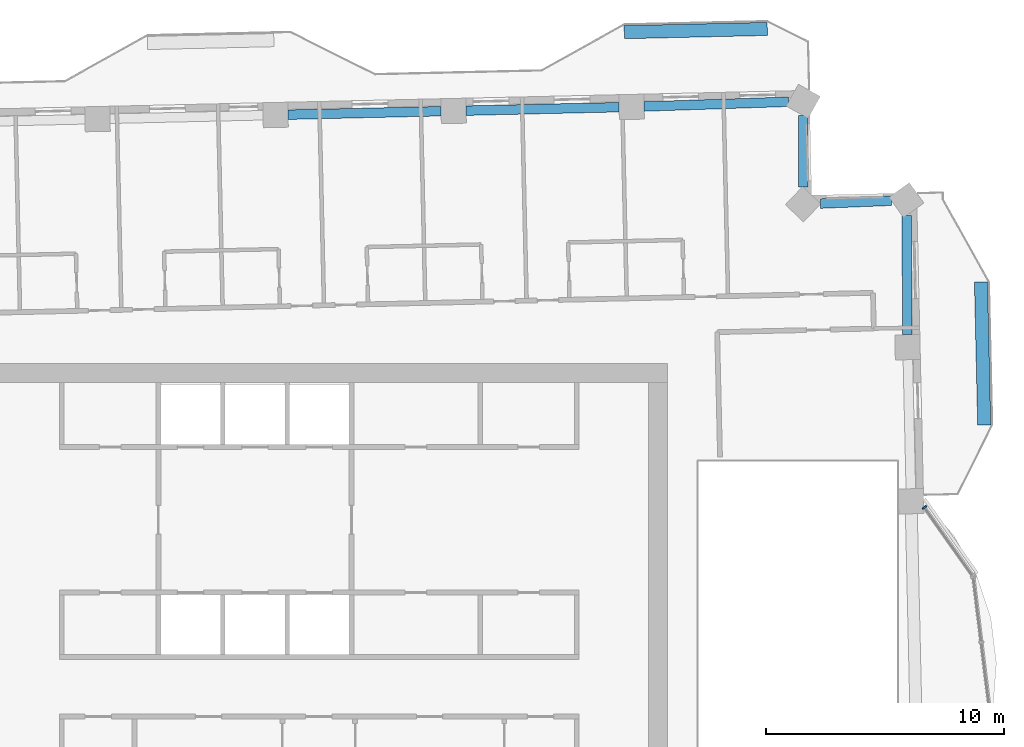
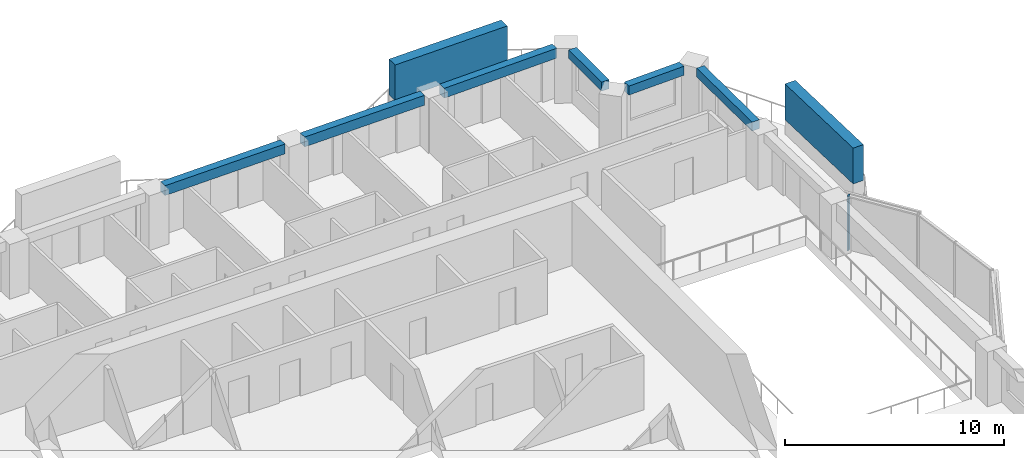
# One storey, part 4 of 17: 6 beams, 3 members, 1 element without a shape of its own.
"""IFC4 building model written with IfcOpenShell, lengths in metres."""

from ifc_helpers import new_model, si_unit, direction, frame, origin, origin_2d, place, context, subcontext, project, spatial, rectangle, extrude, material, material_profile, profile_set, type_object, element, aggregate, save


model = new_model("IFC4")

# Units and contexts
model_context = context("Model", 3, precision=1e-05, world=origin(), true_north=direction((0.0, 1.0)))
body_context = subcontext(model_context, "Body", "Model", "MODEL_VIEW")
ifc_project = project(units=[si_unit("LENGTHUNIT", "METRE"), si_unit("AREAUNIT", "SQUARE_METRE"), si_unit("VOLUMEUNIT", "CUBIC_METRE"), si_unit("PLANEANGLEUNIT", "RADIAN"), si_unit("MASSUNIT", "GRAM", prefix="KILO")], contexts=[model_context])

# Site, building, storey
site_placement = place(None, origin())
site = spatial("IfcSite", under=ifc_project, at=site_placement, CompositionType="ELEMENT")
building_placement = place(site_placement, origin())
building = spatial("IfcBuilding", under=site, at=building_placement, Name="Mangrove Gate Tower", CompositionType="ELEMENT")
storey_placement = place(building_placement, frame((0.0, 0.0, 245.5)))
storey = spatial("IfcBuildingStorey", under=building, at=storey_placement, Name="L62", CompositionType="ELEMENT", Elevation=245.5)

# Curtain wall, member
ifc_material_1 = material(Name="Aluminium and glass curtain wall", Category="aluminium")
curtain_wall_type = type_object("IfcCurtainWallType", Name="Atrium garden-court glazing wall", PredefinedType="NOTDEFINED", material=ifc_material_1)
curtain_wall_placement = place(storey_placement, origin())
curtain_wall = element("IfcCurtainWall", 1, at=curtain_wall_placement, inside=storey, type_object=curtain_wall_type, Name="Atrium garden-court glazing E1f3", PredefinedType="NOTDEFINED")
ifc_material_2 = material(Name="Aluminium alloy 6063-T6", Category="aluminium")
ifc_material_profile_1 = material_profile(ifc_material_2, rectangle(XDim=0.070068359375, YDim=0.199951171875, at=origin_2d()))
ifc_profile_set_1 = profile_set([ifc_material_profile_1], Name="Aluminium alloy 6063-T6")
member_type_1 = type_object("IfcMemberType", Name="Atrium garden-court glazing mullion 70x200", PredefinedType="MULLION", material=ifc_profile_set_1)
member_1_placement = place(storey_placement, frame((25.376708984375, 5.565185546875, 0.0), z_axis=(0.0, 0.0, 1.0), x_axis=(-0.578120908245, 0.815951110944, 0.0)))
member_1 = element("IfcMember", 2, at=member_1_placement, type_object=member_type_1, Name="CWA mullion 2", PredefinedType="MULLION", context=body_context, shape_type="SweptSolid", body=[
    extrude(rectangle(XDim=0.070068359375, YDim=0.199951171875, at=origin_2d()), origin(), (0.0, 0.0, 1.0), 3.050048828125),
])
aggregate(curtain_wall, [member_1])

# Members
ifc_material_3 = material(Name="Planting on aluminium trellis", Category="aluminium")
ifc_material_profile_2 = material_profile(ifc_material_3, rectangle(XDim=0.550048828125, YDim=2.0, at=origin_2d()))
ifc_profile_set_2 = profile_set([ifc_material_profile_2], Name="Planting on aluminium trellis")
member_type_2 = type_object("IfcMemberType", Name="Balcony greenery screen 550x2000", PredefinedType="USERDEFINED", material=ifc_profile_set_2)
member_2_placement = place(storey_placement, frame((27.884033203125, 9.02197265625, 1.800048828125), z_axis=(-0.022665943652, 0.999743094499, 0.0), x_axis=(-0.999743094499, -0.022665943652, 0.0)))
element("IfcMember", 3, at=member_2_placement, inside=storey, type_object=member_type_2, Name="GREEN SCREEN L62 E1.1", ObjectType="PLANTING", PredefinedType="USERDEFINED", context=body_context, shape_type="SweptSolid", body=[
    extrude(rectangle(XDim=0.550048828125, YDim=2.0, at=origin_2d()), origin(), (0.0, 0.0, 1.0), 5.99951171875),
])
member_3_placement = place(storey_placement, frame((12.7880859375, 25.498046875, 1.800048828125), z_axis=(0.999739371644, 0.02282955947, 0.0), x_axis=(-0.02282955947, 0.999739371644, 0.0)))
element("IfcMember", 4, at=member_3_placement, inside=storey, type_object=member_type_2, Name="GREEN SCREEN L62 N0.1", ObjectType="PLANTING", PredefinedType="USERDEFINED", context=body_context, shape_type="SweptSolid", body=[
    extrude(rectangle(XDim=0.550048828125, YDim=2.0, at=origin_2d()), origin(), (0.0, 0.0, 1.0), 5.999267578125),
])

# Beams
ifc_material_4 = material(Name="Concrete C50/60", Category="concrete")
ifc_material_profile_3 = material_profile(ifc_material_4, rectangle(XDim=0.39990234375, YDim=0.5, at=origin_2d()))
ifc_profile_set_3 = profile_set([ifc_material_profile_3], Name="Concrete C50/60")
beam_type_1 = type_object("IfcBeamType", Name="Edge beam RC 400x500 C50/60", PredefinedType="BEAM", material=ifc_profile_set_3)
beam_1_placement = place(storey_placement, frame((24.6650390625, 12.812255859375, 2.800048828125), z_axis=(-0.007810736151, 0.999969495735, 0.0), x_axis=(-0.999969495735, -0.007810736151, 0.0)))
element("IfcBeam", 5, at=beam_1_placement, inside=storey, type_object=beam_type_1, Name="Edge beam L62 16", PredefinedType="BEAM", context=body_context, shape_type="SweptSolid", body=[
    extrude(rectangle(XDim=0.39990234375, YDim=0.5, at=origin_2d()), origin(), (0.0, 0.0, 1.0), 5.001220703125),
])
beam_2_placement = place(storey_placement, frame((23.99365234375, 18.429443359375, 2.800048828125), z_axis=(-0.999194139835, -0.040138147936, 0.0), x_axis=(0.040138147936, -0.999194139835, 0.0)))
element("IfcBeam", 6, at=beam_2_placement, inside=storey, type_object=beam_type_1, Name="Edge beam L62 17", PredefinedType="BEAM", context=body_context, shape_type="SweptSolid", body=[
    extrude(rectangle(XDim=0.39990234375, YDim=0.5, at=origin_2d()), origin(), (0.0, 0.0, 1.0), 2.98046875),
])
beam_3_placement = place(storey_placement, frame((20.287353515625, 19.005615234375, 2.800048828125), z_axis=(0.001549247978, 0.999998799915, 0.0), x_axis=(-0.999998799915, 0.001549247978, 0.0)))
element("IfcBeam", 7, at=beam_3_placement, inside=storey, type_object=beam_type_1, Name="Edge beam L62 18", PredefinedType="BEAM", context=body_context, shape_type="SweptSolid", body=[
    extrude(rectangle(XDim=0.39990234375, YDim=0.5, at=origin_2d()), origin(), (0.0, 0.0, 1.0), 2.994140625),
])
ifc_material_5 = material(Name="Concrete C50/60", Category="concrete")
ifc_material_profile_4 = material_profile(ifc_material_5, rectangle(XDim=0.39990234375, YDim=0.550048828125, at=origin_2d()))
ifc_profile_set_4 = profile_set([ifc_material_profile_4], Name="Concrete C50/60")
beam_type_2 = type_object("IfcBeamType", Name="Edge beam RC 400x550 C50/60", PredefinedType="BEAM", material=ifc_profile_set_4)
beam_4_placement = place(storey_placement, frame((19.68017578125, 22.58056640625, 2.77490234375), z_axis=(-0.999460172481, -0.032853669866, 0.0), x_axis=(0.032853669866, -0.999460172481, 0.0)))
element("IfcBeam", 8, at=beam_4_placement, inside=storey, type_object=beam_type_2, Name="Edge beam L62 19", PredefinedType="BEAM", context=body_context, shape_type="SweptSolid", body=[
    extrude(rectangle(XDim=0.39990234375, YDim=0.550048828125, at=origin_2d()), origin(), (0.0, 0.0, 1.0), 6.063720703125),
])
for number, where, z_axis, x_axis, name in (
    (9, (12.570068359375, 22.352294921875, 2.77490234375), (-0.999743815265, -0.022634129983, 0.0), (0.022634129983, -0.999743815265, 0.0), "Edge beam L62 20"),
    (10, (5.10400390625, 22.183349609375, 2.77490234375), (-0.999743815265, -0.022634129983, 0.0), (0.022634129983, -0.999743815265, 0.0), "Edge beam L62 21"),
):
    element("IfcBeam", number, at=place(storey_placement, frame(where, z_axis=z_axis, x_axis=x_axis)), inside=storey, type_object=beam_type_2, Name=name, PredefinedType="BEAM", context=body_context, shape_type="SweptSolid", body=[
        extrude(rectangle(XDim=0.39990234375, YDim=0.550048828125, at=origin_2d()), origin(), (0.0, 0.0, 1.0), 6.41796875),
    ])

save(model, "model.ifc")
